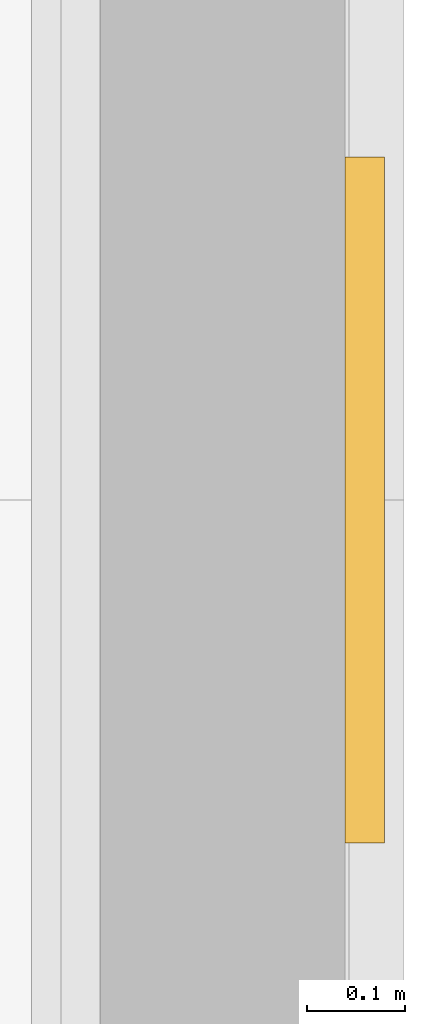
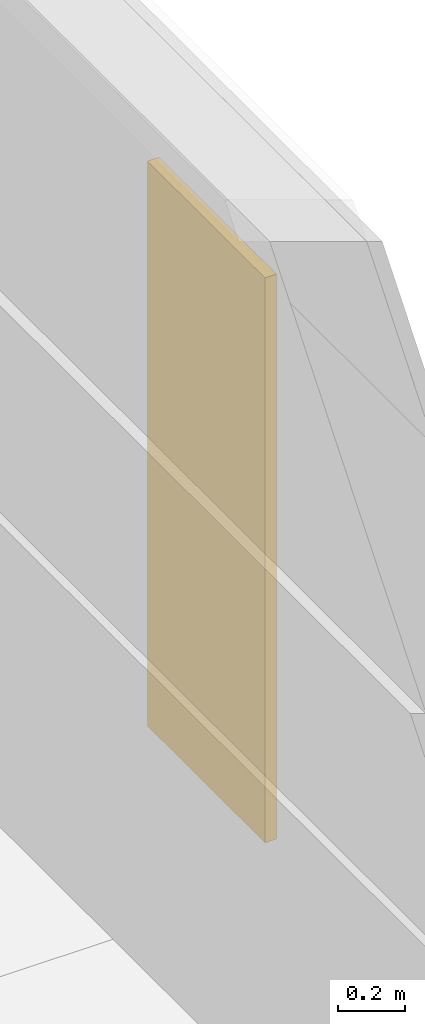
# One storey, part 90 of 95: 1 covering.
"""IFC4 building model written with IfcOpenShell, lengths in metres."""

from ifc_helpers import new_model, si_unit, direction, frame, origin, origin_2d, place, context, subcontext, project, spatial, rectangle, extrude, material, layer, layer_set, type_object, element, save


model = new_model("IFC4")

# Units and contexts
model_context = context("Model", 3, precision=1e-05, world=origin(), true_north=direction((0.0, 1.0)))
body_context = subcontext(model_context, "Body", "Model", "MODEL_VIEW")
ifc_project = project(units=[si_unit("LENGTHUNIT", "METRE"), si_unit("AREAUNIT", "SQUARE_METRE"), si_unit("VOLUMEUNIT", "CUBIC_METRE"), si_unit("PLANEANGLEUNIT", "RADIAN"), si_unit("MASSUNIT", "GRAM", prefix="KILO")], contexts=[model_context])

# Site, building, storey
site_placement = place(None, origin())
site = spatial("IfcSite", under=ifc_project, at=site_placement, CompositionType="ELEMENT")
building_placement = place(site_placement, origin())
building = spatial("IfcBuilding", under=site, at=building_placement, Name="Saffron Lane Theatres", CompositionType="ELEMENT")
storey_placement = place(building_placement, origin())
storey = spatial("IfcBuildingStorey", under=building, at=storey_placement, Name="L00", CompositionType="ELEMENT", Elevation=0.0)

# Covering
ifc_material = material(Name="Face brick cladding, pale buff", Category="masonry")
ifc_layer = layer(ifc_material, 0.0400390625)
ifc_layer_set = layer_set([ifc_layer], Name="Face brick cladding, pale buff")
covering_type = type_object("IfcCoveringType", Name="EX-FACE BRICK SKIN PALE BUFF 40", PredefinedType="CLADDING", material=ifc_layer_set)
covering_placement = place(storey_placement, frame((65.9599609375, 66.0, 0.4501953125), z_axis=(0.0, 0.0, 1.0), x_axis=(0.0, 1.0, 0.0)))
element("IfcCovering", 1, at=covering_placement, inside=storey, type_object=covering_type, Name="Face brick cladding, pale buff L00", PredefinedType="CLADDING", context=body_context, shape_type="SweptSolid", body=[
    extrude(rectangle(XDim=0.699951171875, YDim=0.0400390625, at=origin_2d()), origin(), (0.0, 0.0, 1.0), 2.050048828125),
])

save(model, "model.ifc")
